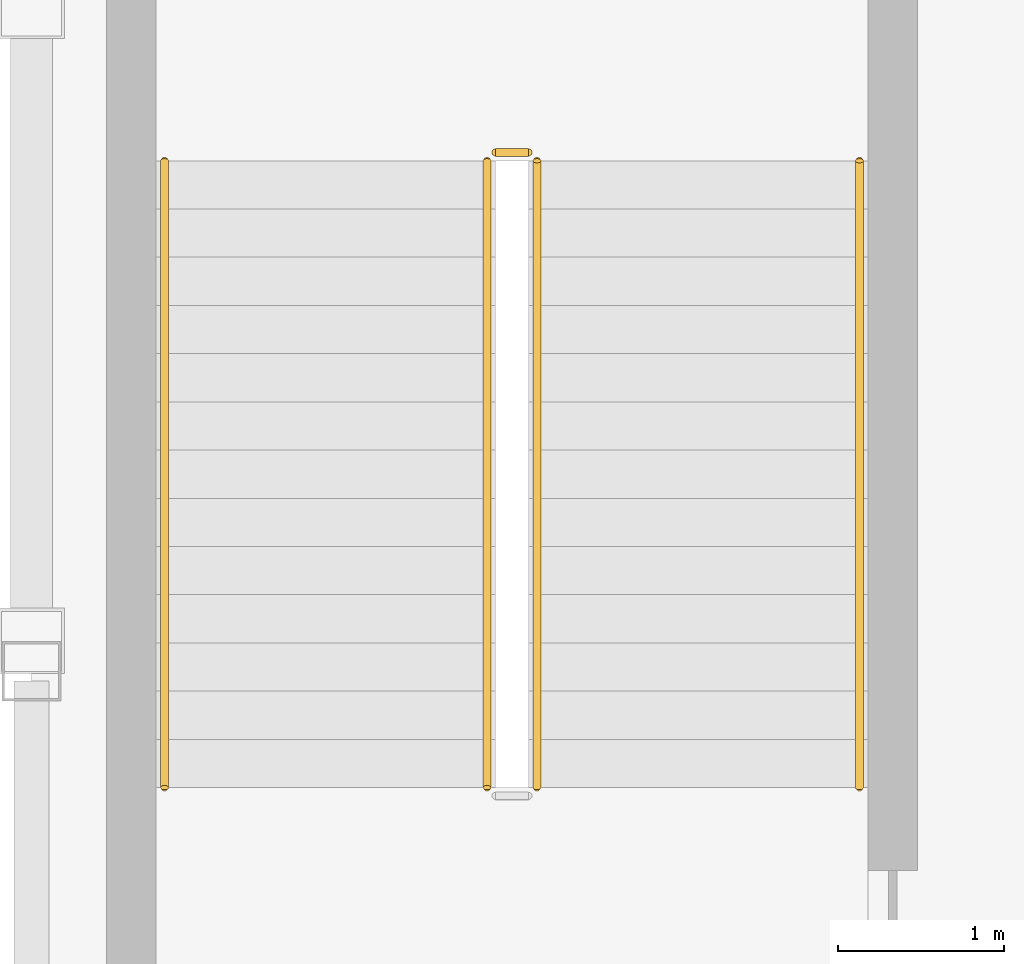
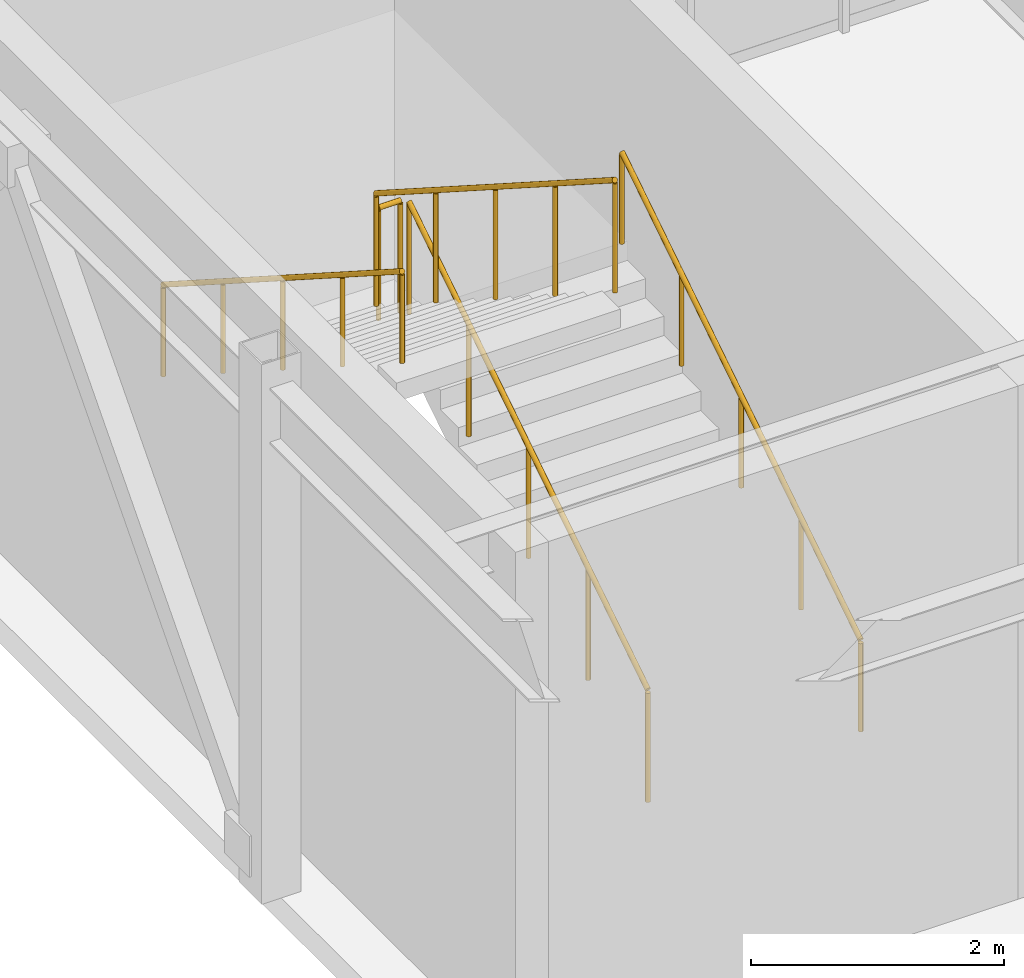
# One storey, part 72 of 77: 5 railings.
"""IFC4 building model written with IfcOpenShell, lengths in metres."""

from ifc_helpers import new_model, si_unit, direction, frame, origin, origin_2d, place, context, subcontext, project, spatial, circle, extrude, material, type_object, element, save


model = new_model("IFC4")

# Units and contexts
model_context = context("Model", 3, precision=1e-05, world=origin(), true_north=direction((0.0, 1.0)))
body_context = subcontext(model_context, "Body", "Model", "MODEL_VIEW")
ifc_project = project(units=[si_unit("LENGTHUNIT", "METRE"), si_unit("AREAUNIT", "SQUARE_METRE"), si_unit("VOLUMEUNIT", "CUBIC_METRE"), si_unit("PLANEANGLEUNIT", "RADIAN"), si_unit("MASSUNIT", "GRAM", prefix="KILO")], contexts=[model_context])

# Site, building, storey
site_placement = place(None, origin())
site = spatial("IfcSite", under=ifc_project, at=site_placement, CompositionType="ELEMENT")
building_placement = place(site_placement, origin())
building = spatial("IfcBuilding", under=site, at=building_placement, Name="Drelvath Fold Interchange", CompositionType="ELEMENT")
storey_placement = place(building_placement, frame((0.0, 0.0, 6.0)))
storey = spatial("IfcBuildingStorey", under=building, at=storey_placement, Name="L01", CompositionType="ELEMENT", Elevation=6.0)

# Railings
ifc_material = material(Name="Stainless Steel 316L", Category="steel")
railing_type_1 = type_object("IfcRailingType", Name="RL-GRD1100", PredefinedType="GUARDRAIL", material=ifc_material)
railing_1_placement = place(storey_placement, frame((7.0400390625, 90.300048828125, 0.185791015625)))
element("IfcRailing", 1, at=railing_1_placement, inside=storey, type_object=railing_type_1, Name="L01 ST-05 stair guard 1", PredefinedType="GUARDRAIL", context=body_context, shape_type="SweptSolid", body=[
    extrude(circle(Radius=0.02392578125, at=origin_2d()), frame((0.0, 0.0, 1.076171875), z_axis=(0.0, 0.84211983486, 0.539290444692), x_axis=(-1.0, 0.0, 0.0)), (0.0, 0.0, 1.0), 4.476806640625),
    extrude(circle(Radius=0.02099609375, at=origin_2d()), origin(), (0.0, 0.0, 1.0), 1.052001953125),
    extrude(circle(Radius=0.02099609375, at=origin_2d()), frame((0.0, 0.9423828125, 0.603515625)), (0.0, 0.0, 1.0), 1.052001953125),
    extrude(circle(Radius=0.02099609375, at=origin_2d()), frame((0.0, 1.885009765625, 1.20703125)), (0.0, 0.0, 1.0), 1.052001953125),
    extrude(circle(Radius=0.02099609375, at=origin_2d()), frame((0.0, 2.82763671875, 1.810791015625)), (0.0, 0.0, 1.0), 1.052001953125),
    extrude(circle(Radius=0.02099609375, at=origin_2d()), frame((0.0, 3.77001953125, 2.414306640625)), (0.0, 0.0, 1.0), 1.052001953125),
])
railing_2_placement = place(storey_placement, frame((6.989990234375, 94.1201171875, 2.60009765625)))
element("IfcRailing", 2, at=railing_2_placement, inside=storey, type_object=railing_type_1, Name="L01 ST-05 stair guard 2", PredefinedType="GUARDRAIL", context=body_context, shape_type="SweptSolid", body=[
    extrude(circle(Radius=0.02392578125, at=origin_2d()), frame((0.0, 0.0, 1.076171875), z_axis=(-1.0, 0.0, 0.0), x_axis=(0.0, -1.0, 0.0)), (0.0, 0.0, 1.0), 0.199951171875),
    extrude(circle(Radius=0.02099609375, at=origin_2d()), origin(), (0.0, 0.0, 1.0), 1.052001953125),
    extrude(circle(Radius=0.02099609375, at=origin_2d()), frame((-0.199951171875, 0.0, 0.0)), (0.0, 0.0, 1.0), 1.052001953125),
])
railing_3_placement = place(storey_placement, frame((6.739990234375, 94.070068359375, 2.78564453125)))
element("IfcRailing", 3, at=railing_3_placement, inside=storey, type_object=railing_type_1, Name="L01 ST-05 stair guard 3", PredefinedType="GUARDRAIL", context=body_context, shape_type="SweptSolid", body=[
    extrude(circle(Radius=0.02392578125, at=origin_2d()), frame((0.0, 0.0, 1.076171875), z_axis=(0.0, -0.84211983486, 0.539290444692), x_axis=(1.0, 0.0, 0.0)), (0.0, 0.0, 1.0), 4.476806640625),
    extrude(circle(Radius=0.02099609375, at=origin_2d()), origin(), (0.0, 0.0, 1.0), 1.052001953125),
    extrude(circle(Radius=0.02099609375, at=origin_2d()), frame((0.0, -0.9423828125, 0.603515625)), (0.0, 0.0, 1.0), 1.052001953125),
    extrude(circle(Radius=0.02099609375, at=origin_2d()), frame((0.0, -1.885009765625, 1.20703125)), (0.0, 0.0, 1.0), 1.052001953125),
    extrude(circle(Radius=0.02099609375, at=origin_2d()), frame((0.0, -2.82763671875, 1.810791015625)), (0.0, 0.0, 1.0), 1.052001953125),
    extrude(circle(Radius=0.02099609375, at=origin_2d()), frame((0.0, -3.77001953125, 2.414306640625)), (0.0, 0.0, 1.0), 1.052001953125),
])
railing_type_2 = type_object("IfcRailingType", Name="RL-HND920", PredefinedType="HANDRAIL", material=ifc_material)
railing_4_placement = place(storey_placement, frame((8.97998046875, 90.300048828125, 0.185791015625)))
element("IfcRailing", 4, at=railing_4_placement, inside=storey, type_object=railing_type_2, Name="L01 ST-05 stair handrail 1", PredefinedType="HANDRAIL", context=body_context, shape_type="SweptSolid", body=[
    extrude(circle(Radius=0.02392578125, at=origin_2d()), frame((0.0, 0.0, 0.8759765625), z_axis=(0.0, 0.84211983486, 0.539290444692), x_axis=(-1.0, 0.0, 0.0)), (0.0, 0.0, 1.0), 4.476806640625),
    extrude(circle(Radius=0.02099609375, at=origin_2d()), origin(), (0.0, 0.0, 1.0), 0.851806640625),
    extrude(circle(Radius=0.02099609375, at=origin_2d()), frame((0.0, 0.9423828125, 0.603515625)), (0.0, 0.0, 1.0), 0.851806640625),
    extrude(circle(Radius=0.02099609375, at=origin_2d()), frame((0.0, 1.885009765625, 1.20703125)), (0.0, 0.0, 1.0), 0.851806640625),
    extrude(circle(Radius=0.02099609375, at=origin_2d()), frame((0.0, 2.82763671875, 1.810791015625)), (0.0, 0.0, 1.0), 0.851806640625),
    extrude(circle(Radius=0.02099609375, at=origin_2d()), frame((0.0, 3.77001953125, 2.414306640625)), (0.0, 0.0, 1.0), 0.851806640625),
])
railing_5_placement = place(storey_placement, frame((4.800048828125, 94.070068359375, 2.78564453125)))
element("IfcRailing", 5, at=railing_5_placement, inside=storey, type_object=railing_type_2, Name="L01 ST-05 stair handrail 2", PredefinedType="HANDRAIL", context=body_context, shape_type="SweptSolid", body=[
    extrude(circle(Radius=0.02392578125, at=origin_2d()), frame((0.0, 0.0, 0.8759765625), z_axis=(0.0, -0.84211983486, 0.539290444692), x_axis=(1.0, 0.0, 0.0)), (0.0, 0.0, 1.0), 4.476806640625),
    extrude(circle(Radius=0.02099609375, at=origin_2d()), origin(), (0.0, 0.0, 1.0), 0.851806640625),
    extrude(circle(Radius=0.02099609375, at=origin_2d()), frame((0.0, -0.9423828125, 0.603515625)), (0.0, 0.0, 1.0), 0.851806640625),
    extrude(circle(Radius=0.02099609375, at=origin_2d()), frame((0.0, -1.885009765625, 1.20703125)), (0.0, 0.0, 1.0), 0.851806640625),
    extrude(circle(Radius=0.02099609375, at=origin_2d()), frame((0.0, -2.82763671875, 1.810791015625)), (0.0, 0.0, 1.0), 0.851806640625),
    extrude(circle(Radius=0.02099609375, at=origin_2d()), frame((0.0, -3.77001953125, 2.414306640625)), (0.0, 0.0, 1.0), 0.851806640625),
])

save(model, "model.ifc")
